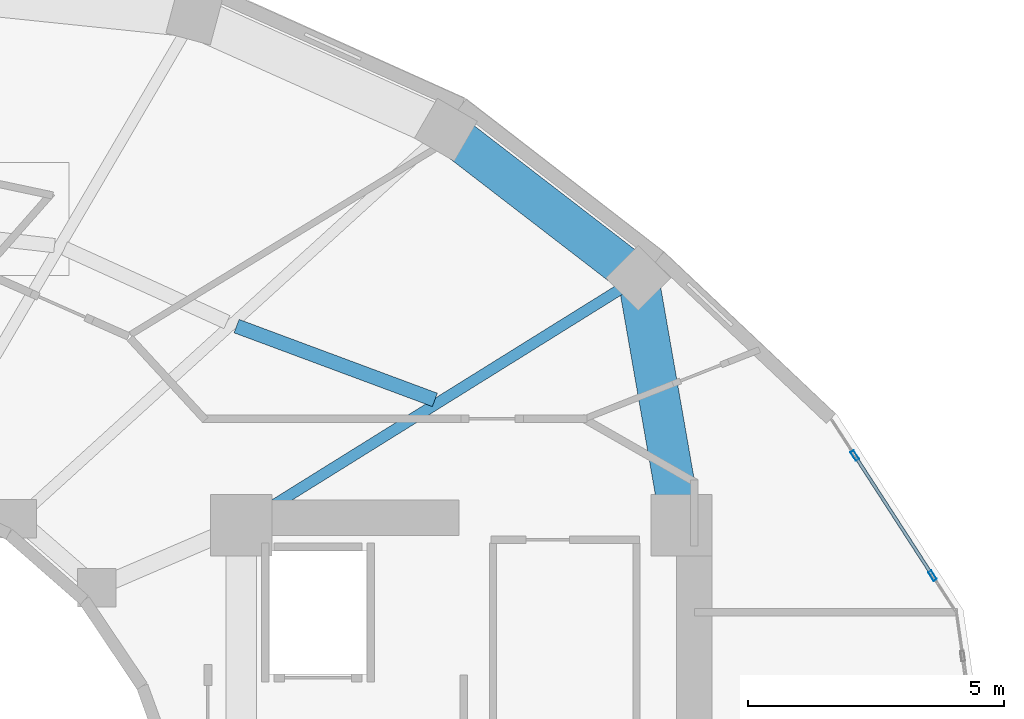
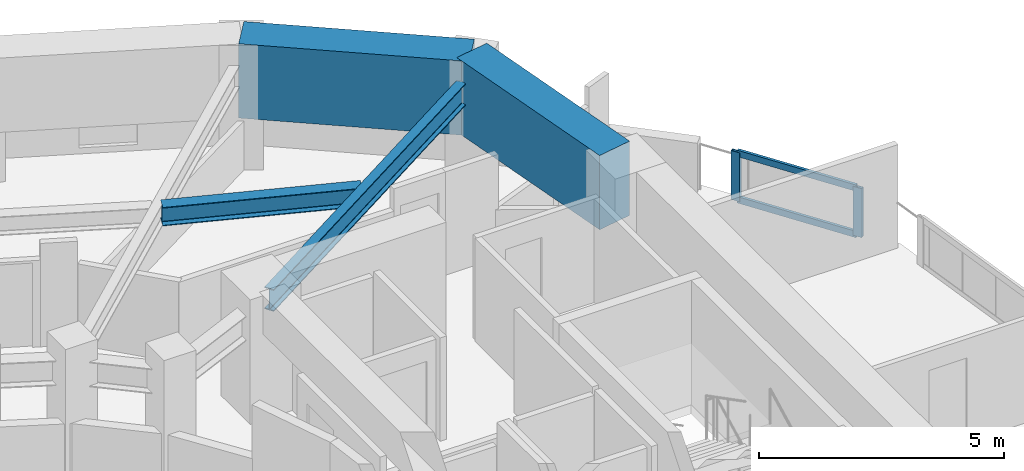
# One storey, part 4 of 13: 4 beams, 4 members, 1 element without a shape of its own.
"""IFC4 building model written with IfcOpenShell, lengths in metres."""

from ifc_helpers import new_model, si_unit, direction, frame, origin, origin_2d, place, context, subcontext, project, spatial, rectangle, hollow_rectangle, i_section, extrude, material, layer, layer_set, material_profile, profile_set, type_object, element, aggregate, save


model = new_model("IFC4")

# Units and contexts
model_context = context("Model", 3, precision=1e-05, world=origin(), true_north=direction((0.0, 1.0)))
body_context = subcontext(model_context, "Body", "Model", "MODEL_VIEW")
ifc_project = project(units=[si_unit("LENGTHUNIT", "METRE"), si_unit("AREAUNIT", "SQUARE_METRE"), si_unit("VOLUMEUNIT", "CUBIC_METRE"), si_unit("PLANEANGLEUNIT", "RADIAN"), si_unit("MASSUNIT", "GRAM", prefix="KILO")], contexts=[model_context])

# Site, building, storey
site_placement = place(None, origin())
site = spatial("IfcSite", under=ifc_project, at=site_placement, CompositionType="ELEMENT")
building_placement = place(site_placement, origin())
building = spatial("IfcBuilding", under=site, at=building_placement, Name="Solvane Sanctuary Tower", CompositionType="ELEMENT")
storey_placement = place(building_placement, frame((0.0, 0.0, 149.800048828125)))
storey = spatial("IfcBuildingStorey", under=building, at=storey_placement, Name="L45", CompositionType="ELEMENT", Elevation=149.800048828125)

# Beams
ifc_material_1 = material(Name="Steel ASTM A992 Grade 50", Category="steel")
ifc_material_profile_1 = material_profile(ifc_material_1, i_section(OverallWidth=0.214111328125, OverallDepth=0.549072265625, WebThickness=0.0146484375, FlangeThickness=0.023681640625, FilletRadius=0.014892578125, at=origin_2d()), Name="W21X93")
ifc_profile_set_1 = profile_set([ifc_material_profile_1], Name="Steel ASTM A992 Grade 50")
beam_type_1 = type_object("IfcBeamType", Name="Beam B-RAD-Z3 W21X93", PredefinedType="JOIST", material=ifc_profile_set_1)
beam_1_placement = place(storey_placement, frame((40.405517578125, 30.390380859375, 2.323486328125), z_axis=(0.84882685523, 0.528670946658, 0.0), x_axis=(-0.528670946658, 0.84882685523, 0.0)))
element("IfcBeam", 1, at=beam_1_placement, inside=storey, type_object=beam_type_1, Name="L45 Radial Composite Floor Beam 01", PredefinedType="JOIST", context=body_context, shape_type="SweptSolid", body=[
    extrude(i_section(OverallWidth=0.214111328125, OverallDepth=0.549072265625, WebThickness=0.0146484375, FlangeThickness=0.023681640625, FilletRadius=0.014892578125, at=origin_2d()), origin(), (0.0, 0.0, 1.0), 8.498046875),
])
ifc_material_profile_2 = material_profile(ifc_material_1, i_section(OverallWidth=0.280029296875, OverallDepth=0.462890625, WebThickness=0.0107421875, FlangeThickness=0.017333984375, FilletRadius=0.013916015625, at=origin_2d()), Name="W18X76")
ifc_profile_set_2 = profile_set([ifc_material_profile_2], Name="Steel ASTM A992 Grade 50")
beam_type_2 = type_object("IfcBeamType", Name="Beam B-SEC-JOIST W18X76", PredefinedType="JOIST", material=ifc_profile_set_2)
beam_2_placement = place(storey_placement, frame((40.009765625, 34.091796875, 2.366455078125), z_axis=(0.937258220662, -0.34863595311, 0.0), x_axis=(0.34863595311, 0.937258220662, 0.0)))
element("IfcBeam", 2, at=beam_2_placement, inside=storey, type_object=beam_type_2, Name="L45 Secondary Circumferential Joist 02-01", PredefinedType="JOIST", context=body_context, shape_type="SweptSolid", body=[
    extrude(i_section(OverallWidth=0.280029296875, OverallDepth=0.462890625, WebThickness=0.0107421875, FlangeThickness=0.017333984375, FilletRadius=0.013916015625, at=origin_2d()), origin(), (0.0, 0.0, 1.0), 4.13232421875),
])
ifc_material_2 = material(Name="Concrete C70/85", Category="concrete")
ifc_material_profile_3 = material_profile(ifc_material_2, rectangle(XDim=0.800048828125, YDim=1.85009765625, at=origin_2d()), Name="RC800X1850")
ifc_profile_set_3 = profile_set([ifc_material_profile_3], Name="Concrete C70/85")
beam_type_3 = type_object("IfcBeamType", Name="Beam B-XFER-BLK RC800X1850", PredefinedType="BEAM", material=ifc_profile_set_3)
beam_3_placement = place(storey_placement, frame((44.09814453125, 37.927978515625, 2.175048828125), z_axis=(0.792034554649, -0.610476260179, 0.0), x_axis=(0.610476260179, 0.792034554649, 0.0)))
element("IfcBeam", 3, at=beam_3_placement, inside=storey, type_object=beam_type_3, Name="L45 Perimeter Step Transfer Ring NTC02-NTC01", PredefinedType="BEAM", context=body_context, shape_type="SweptSolid", body=[
    extrude(rectangle(XDim=0.800048828125, YDim=1.85009765625, at=origin_2d()), origin(), (0.0, 0.0, 1.0), 4.745361328125),
])
beam_4_placement = place(storey_placement, frame((47.856689453125, 35.031005859375, 2.175048828125), z_axis=(0.171982816413, -0.98509994968, 0.0), x_axis=(0.98509994968, 0.171982816413, 0.0)))
element("IfcBeam", 4, at=beam_4_placement, inside=storey, type_object=beam_type_3, Name="L45 Perimeter Step Transfer Ring NTC01-CE3", PredefinedType="BEAM", context=body_context, shape_type="SweptSolid", body=[
    extrude(rectangle(XDim=0.800048828125, YDim=1.85009765625, at=origin_2d()), origin(), (0.0, 0.0, 1.0), 4.5439453125),
])

# Curtain wall, members
ifc_material_3 = material(Name="Anodised Aluminium 6063-T6", Category="aluminium")
ifc_layer = layer(ifc_material_3, 0.2099609375, Name="Anodised Aluminium 6063-T6")
ifc_layer_set = layer_set([ifc_layer], Name="Anodised Aluminium 6063-T6")
curtain_wall_type = type_object("IfcCurtainWallType", Name="Curtain Wall CW-PORTAL", PredefinedType="NOTDEFINED", material=ifc_layer_set)
curtain_wall_placement = place(storey_placement, origin())
curtain_wall = element("IfcCurtainWall", 5, at=curtain_wall_placement, inside=storey, type_object=curtain_wall_type, Name="L45 CW-PORTAL Facade Run 01", PredefinedType="NOTDEFINED")
ifc_material_profile_4 = material_profile(ifc_material_3, hollow_rectangle(XDim=0.074951171875, YDim=0.199951171875, WallThickness=0.00390625, at=origin_2d()), Name="ALU200X75X4")
ifc_profile_set_4 = profile_set([ifc_material_profile_4], Name="Anodised Aluminium 6063-T6")
member_type_1 = type_object("IfcMemberType", Name="Member M-CW-MUL-1 ALU200X75X4", PredefinedType="MULLION", material=ifc_profile_set_4)
member_1_placement = place(storey_placement, frame((53.604248046875, 29.21630859375, 0.0), z_axis=(0.0, 0.0, 1.0), x_axis=(-0.839512220128, -0.543340806728, 0.0)))
member_1 = element("IfcMember", 6, at=member_1_placement, type_object=member_type_1, Name="CW-PORTAL mullion 1", PredefinedType="MULLION", context=body_context, shape_type="SweptSolid", body=[
    extrude(hollow_rectangle(XDim=0.074951171875, YDim=0.199951171875, WallThickness=0.00390625, at=origin_2d()), origin(), (0.0, 0.0, 1.0), 1.219970703125),
])
member_2_placement = place(storey_placement, frame((52.0849609375, 31.56396484375, 0.0), z_axis=(0.0, 0.0, 1.0), x_axis=(-0.839512220128, -0.543340806728, 0.0)))
member_2 = element("IfcMember", 7, at=member_2_placement, type_object=member_type_1, Name="CW-PORTAL mullion 2", PredefinedType="MULLION", context=body_context, shape_type="SweptSolid", body=[
    extrude(hollow_rectangle(XDim=0.074951171875, YDim=0.199951171875, WallThickness=0.00390625, at=origin_2d()), origin(), (0.0, 0.0, 1.0), 1.219970703125),
])
ifc_material_profile_5 = material_profile(ifc_material_3, hollow_rectangle(XDim=0.06494140625, YDim=0.159912109375, WallThickness=0.00341796875, at=origin_2d()), Name="ALU160X65X3.5")
ifc_profile_set_5 = profile_set([ifc_material_profile_5], Name="Anodised Aluminium 6063-T6")
member_type_2 = type_object("IfcMemberType", Name="Member M-CW-TRN-1 ALU160X65X3.5", PredefinedType="USERDEFINED", material=ifc_profile_set_5)
member_3_placement = place(storey_placement, frame((53.583984375, 29.247802734375, 0.032470703125), z_axis=(-0.543303354551, 0.83953645837, 0.0), x_axis=(-0.83953645837, -0.543303354551, 0.0)))
member_3 = element("IfcMember", 8, at=member_3_placement, type_object=member_type_2, Name="CW-PORTAL transom 1.1", ObjectType="TRANSOM", PredefinedType="USERDEFINED", context=body_context, shape_type="SweptSolid", body=[
    extrude(hollow_rectangle(XDim=0.06494140625, YDim=0.159912109375, WallThickness=0.00341796875, at=origin_2d()), origin(), (0.0, 0.0, 1.0), 2.721435546875),
])
member_4_placement = place(storey_placement, frame((53.583984375, 29.247802734375, 1.1875), z_axis=(-0.543303354551, 0.83953645837, 0.0), x_axis=(-0.83953645837, -0.543303354551, 0.0)))
member_4 = element("IfcMember", 9, at=member_4_placement, type_object=member_type_2, Name="CW-PORTAL transom 1.2", ObjectType="TRANSOM", PredefinedType="USERDEFINED", context=body_context, shape_type="SweptSolid", body=[
    extrude(hollow_rectangle(XDim=0.06494140625, YDim=0.159912109375, WallThickness=0.00341796875, at=origin_2d()), origin(), (0.0, 0.0, 1.0), 2.721435546875),
])
aggregate(curtain_wall, [member_1, member_2, member_3, member_4])

save(model, "model.ifc")
